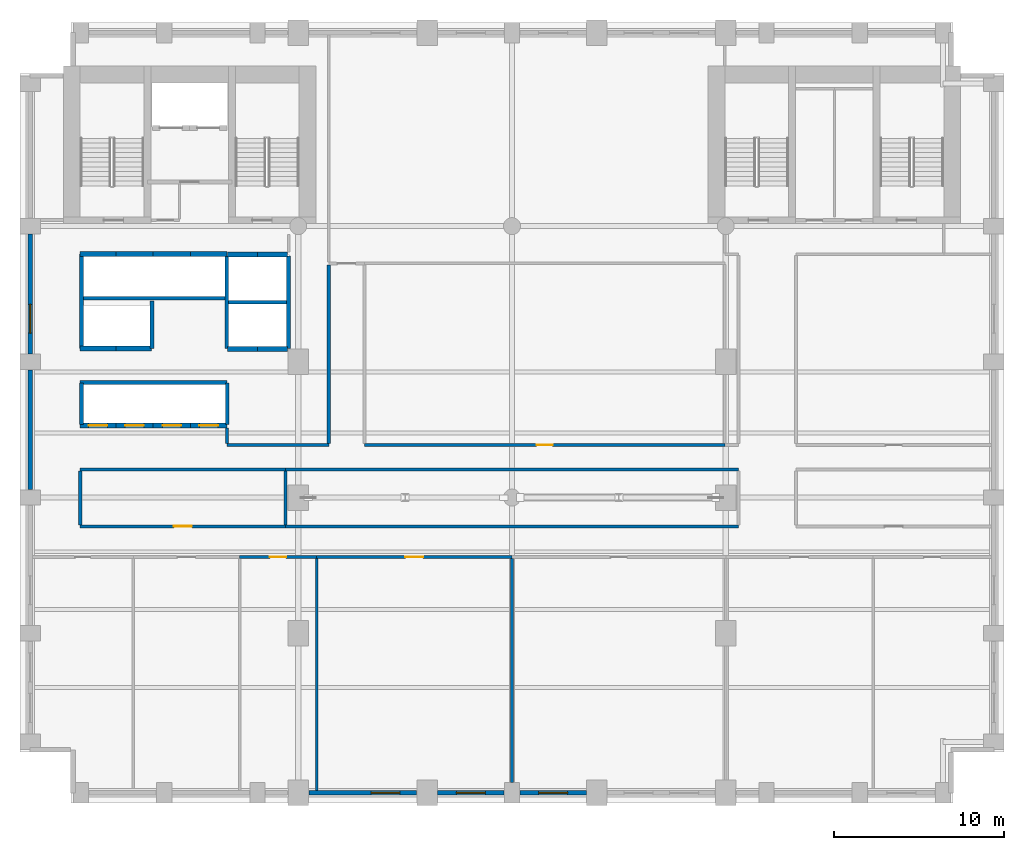
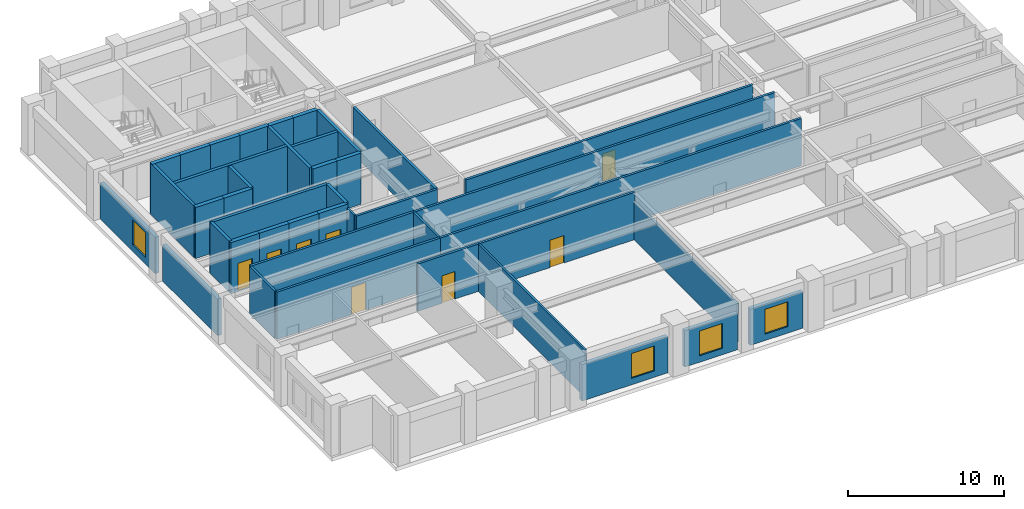
# One storey, part 5 of 10: 42 walls, 8 doors, 4 windows, 12 openings.
"""IFC4 building model written with IfcOpenShell, lengths in metres."""

from ifc_helpers import new_model, si_unit, direction, frame, frame_2d, origin, place, context, subcontext, project, spatial, rectangle, extrude, material, layer, layer_set, type_object, element, fill, save


model = new_model("IFC4")

# Units and contexts
model_context = context("Model", 3, precision=1e-05, world=origin(), true_north=direction((0.0, 1.0)))
body_context = subcontext(model_context, "Body", "Model", "MODEL_VIEW")
ifc_project = project(units=[si_unit("LENGTHUNIT", "METRE"), si_unit("AREAUNIT", "SQUARE_METRE"), si_unit("VOLUMEUNIT", "CUBIC_METRE"), si_unit("PLANEANGLEUNIT", "RADIAN"), si_unit("MASSUNIT", "GRAM", prefix="KILO")], contexts=[model_context])

# Site, building, storey
site_placement = place(None, origin())
site = spatial("IfcSite", under=ifc_project, at=site_placement, CompositionType="ELEMENT")
building_placement = place(site_placement, origin())
building = spatial("IfcBuilding", under=site, at=building_placement, Name="Sulina Concourse Tower", CompositionType="ELEMENT")
storey_placement = place(building_placement, frame((0.0, 0.0, 54.60009765625)))
storey = spatial("IfcBuildingStorey", under=building, at=storey_placement, Name="L13", CompositionType="ELEMENT", Elevation=54.60009765625)

# Walls
ifc_material_1 = material(Name="Concrete C50/60", Category="concrete")
ifc_layer_1 = layer(ifc_material_1, 0.219970703125)
ifc_layer_set_1 = layer_set([ifc_layer_1], Name="Concrete C50/60")
wall_type_1 = type_object("IfcWallType", Name="Core Lift Hoistway Divider Wall 220mm", PredefinedType="SOLIDWALL", material=ifc_layer_set_1)
wall_1_placement = place(storey_placement, frame((3.550048828125, 29.75, 0.0), z_axis=(0.0, 0.0, 1.0), x_axis=(1.0, 0.0, 0.0)))
element("IfcWall", 1, at=wall_1_placement, inside=storey, type_object=wall_type_1, Name="L13 shaft divider wall HW-LP3-S", PredefinedType="SOLIDWALL", context=body_context, shape_type="SweptSolid", body=[
    extrude(rectangle(XDim=8.64990234375, YDim=0.219970703125, at=frame_2d((4.324951171875, 0.0))), origin(), (0.0, 0.0, 1.0), 4.0),
])
wall_2_placement = place(storey_placement, frame((3.6298828125, 26.800048828125, 0.0), z_axis=(0.0, 0.0, 1.0), x_axis=(0.0, 1.0, 0.0)))
element("IfcWall", 2, at=wall_2_placement, inside=storey, type_object=wall_type_1, Name="L13 shaft divider wall HW-LP3-W", PredefinedType="SOLIDWALL", context=body_context, shape_type="SweptSolid", body=[
    extrude(rectangle(XDim=5.550048828125, YDim=0.219970703125, at=frame_2d((2.77490234375, 0.0))), origin(), (0.0, 0.0, 1.0), 4.0),
])
wall_3_placement = place(storey_placement, frame((7.780029296875, 26.800048828125, 0.0), z_axis=(0.0, 0.0, 1.0), x_axis=(0.0, 1.0, 0.0)))
element("IfcWall", 3, at=wall_3_placement, inside=storey, type_object=wall_type_1, Name="L13 shaft divider wall HW-EXP-E", PredefinedType="SOLIDWALL", context=body_context, shape_type="SweptSolid", body=[
    extrude(rectangle(XDim=2.800048828125, YDim=0.219970703125, at=frame_2d((1.39990234375, 0.0))), origin(), (0.0, 0.0, 1.0), 4.0),
])
for number, where, z_axis, x_axis, name in (
    (4, (12.179931640625, 26.800048828125, 0.0), (0.0, 0.0, 1.0), (0.0, 1.0, 0.0), "L13 shaft divider wall HW-LP2-W"),
    (5, (15.820068359375, 26.800048828125, 0.0), (0.0, 0.0, 1.0), (0.0, 1.0, 0.0), "L13 shaft divider wall HW-LP2-E"),
):
    element("IfcWall", number, at=place(storey_placement, frame(where, z_axis=z_axis, x_axis=x_axis)), inside=storey, type_object=wall_type_1, Name=name, PredefinedType="SOLIDWALL", context=body_context, shape_type="SweptSolid", body=[
        extrude(rectangle(XDim=5.449951171875, YDim=0.219970703125, at=frame_2d((2.72509765625, 0.0))), origin(), (0.0, 0.0, 1.0), 4.0),
    ])
wall_4_placement = place(storey_placement, frame((12.300048828125, 29.52001953125, 0.0), z_axis=(0.0, 0.0, 1.0), x_axis=(1.0, 0.0, 0.0)))
element("IfcWall", 6, at=wall_4_placement, inside=storey, type_object=wall_type_1, Name="L13 shaft divider wall HW-LP2-M", PredefinedType="SOLIDWALL", context=body_context, shape_type="SweptSolid", body=[
    extrude(rectangle(XDim=3.39990234375, YDim=0.219970703125, at=frame_2d((1.699951171875, 0.0))), origin(), (0.0, 0.0, 1.0), 4.0),
])
wall_5_placement = place(storey_placement, frame((3.550048828125, 24.780029296875, 0.0), z_axis=(0.0, 0.0, 1.0), x_axis=(1.0, 0.0, 0.0)))
element("IfcWall", 7, at=wall_5_placement, inside=storey, type_object=wall_type_1, Name="L13 shaft divider wall HW-LP1-N", PredefinedType="SOLIDWALL", context=body_context, shape_type="SweptSolid", body=[
    extrude(rectangle(XDim=8.64990234375, YDim=0.219970703125, at=frame_2d((4.324951171875, 0.0))), origin(), (0.0, 0.0, 1.0), 4.0),
])
for number, where, z_axis, x_axis, name in (
    (8, (3.6298828125, 22.300048828125, 0.0), (0.0, 0.0, 1.0), (0.0, 1.0, 0.0), "L13 shaft divider wall HW-LP1-W"),
    (9, (12.219970703125, 22.300048828125, 0.0), (0.0, 0.0, 1.0), (0.0, 1.0, 0.0), "L13 shaft divider wall HW-LP1-E"),
):
    element("IfcWall", number, at=place(storey_placement, frame(where, z_axis=z_axis, x_axis=x_axis)), inside=storey, type_object=wall_type_1, Name=name, PredefinedType="SOLIDWALL", context=body_context, shape_type="SweptSolid", body=[
        extrude(rectangle(XDim=2.449951171875, YDim=0.219970703125, at=frame_2d((1.22509765625, 0.0))), origin(), (0.0, 0.0, 1.0), 4.0),
    ])

# Wall, opening, door
ifc_material_2 = material(Name="Concrete C50/60", Category="concrete")
ifc_layer_2 = layer(ifc_material_2, 0.300048828125)
ifc_layer_set_2 = layer_set([ifc_layer_2], Name="Concrete C50/60")
wall_type_2 = type_object("IfcWallType", Name="Core Lift Hoistway Wall 300mm", PredefinedType="SOLIDWALL", material=ifc_layer_set_2)
wall_6_placement = place(storey_placement, frame((5.64990234375, 22.25, 0.0), z_axis=(0.0, 0.0, 1.0), x_axis=(-1.0, 0.0, 0.0)))
wall_6 = element("IfcWall", 10, at=wall_6_placement, inside=storey, type_object=wall_type_2, Name="L13 hoistway enclosure wall LP-01", PredefinedType="SOLIDWALL", context=body_context, shape_type="SweptSolid", body=[
    extrude(rectangle(XDim=2.099853515625, YDim=0.300048828125, at=frame_2d((1.0498046875, 0.0))), origin(), (0.0, 0.0, 1.0), 4.0),
])
opening_1_placement = place(wall_6_placement, frame((0.5, 0.0, 0.0)))
opening_1 = element("IfcOpeningElement", 11, at=opening_1_placement, cuts=wall_6, Name="Opening LD-01", PredefinedType="OPENING", context=body_context, shape_type="SweptSolid", body=[
    extrude(rectangle(XDim=1.10009765625, YDim=2.199951171875, at=frame_2d((0.550048828125, 1.10009765625))), frame((0.0, 0.159912109375, 0.0), z_axis=(0.0, -1.0, 0.0), x_axis=(1.0, 0.0, 0.0)), (0.0, 0.0, 1.0), 0.320068359375),
])
ifc_material_3 = material(Name="Stainless steel lift landing door", Category="steel")
ifc_layer_3 = layer(ifc_material_3, 0.050048828125)
ifc_layer_set_3 = layer_set([ifc_layer_3], Name="Stainless steel lift landing door")
door_type_1 = type_object("IfcDoorType", Name="Passenger Lift Sliding Landing Door 1100x2200", OperationType="SLIDING_TO_LEFT", PredefinedType="DOOR", material=ifc_layer_set_3)
door_1_placement = place(opening_1_placement, origin())
door_1 = element("IfcDoor", 12, at=door_1_placement, inside=storey, type_object=door_type_1, Name="L13 lift landing sliding door LP-01", OperationType="SLIDING_TO_LEFT", OverallHeight=2.199951171875, OverallWidth=1.10009765625, PredefinedType="DOOR", context=body_context, shape_type="SweptSolid", body=[
    extrude(rectangle(XDim=1.10009765625, YDim=2.199951171875, at=frame_2d((0.550048828125, 1.10009765625))), frame((0.0, 0.02490234375, 0.0), z_axis=(0.0, -1.0, 0.0), x_axis=(1.0, 0.0, 0.0)), (0.0, 0.0, 1.0), 0.050048828125),
])
fill(opening_1, door_1)

wall_7_placement = place(storey_placement, frame((7.85009765625, 22.25, 0.0), z_axis=(0.0, 0.0, 1.0), x_axis=(-1.0, 0.0, 0.0)))
wall_7 = element("IfcWall", 13, at=wall_7_placement, inside=storey, type_object=wall_type_2, Name="L13 hoistway enclosure wall LP-02", PredefinedType="SOLIDWALL", context=body_context, shape_type="SweptSolid", body=[
    extrude(rectangle(XDim=2.2001953125, YDim=0.300048828125, at=frame_2d((1.10009765625, 0.0))), origin(), (0.0, 0.0, 1.0), 4.0),
])
opening_2_placement = place(wall_7_placement, frame((0.550048828125, 0.0, 0.0)))
opening_2 = element("IfcOpeningElement", 14, at=opening_2_placement, cuts=wall_7, Name="Opening LD-01", PredefinedType="OPENING", context=body_context, shape_type="SweptSolid", body=[
    extrude(rectangle(XDim=1.10009765625, YDim=2.199951171875, at=frame_2d((0.550048828125, 1.10009765625))), frame((0.0, 0.159912109375, 0.0), z_axis=(0.0, -1.0, 0.0), x_axis=(1.0, 0.0, 0.0)), (0.0, 0.0, 1.0), 0.320068359375),
])
door_2_placement = place(opening_2_placement, origin())
door_2 = element("IfcDoor", 15, at=door_2_placement, inside=storey, type_object=door_type_1, Name="L13 lift landing sliding door LP-02", OperationType="SLIDING_TO_RIGHT", OverallHeight=2.199951171875, OverallWidth=1.10009765625, PredefinedType="DOOR", context=body_context, shape_type="SweptSolid", body=[
    extrude(rectangle(XDim=1.10009765625, YDim=2.199951171875, at=frame_2d((0.550048828125, 1.10009765625))), frame((0.0, 0.02490234375, 0.0), z_axis=(0.0, -1.0, 0.0), x_axis=(1.0, 0.0, 0.0)), (0.0, 0.0, 1.0), 0.050048828125),
])
fill(opening_2, door_2)

wall_8_placement = place(storey_placement, frame((10.050048828125, 22.25, 0.0), z_axis=(0.0, 0.0, 1.0), x_axis=(-1.0, 0.0, 0.0)))
wall_8 = element("IfcWall", 16, at=wall_8_placement, inside=storey, type_object=wall_type_2, Name="L13 hoistway enclosure wall LP-03", PredefinedType="SOLIDWALL", context=body_context, shape_type="SweptSolid", body=[
    extrude(rectangle(XDim=2.199951171875, YDim=0.300048828125, at=frame_2d((1.10009765625, 0.0))), origin(), (0.0, 0.0, 1.0), 4.0),
])
opening_3_placement = place(wall_8_placement, frame((0.550048828125, 0.0, 0.0)))
opening_3 = element("IfcOpeningElement", 17, at=opening_3_placement, cuts=wall_8, Name="Opening LD-01", PredefinedType="OPENING", context=body_context, shape_type="SweptSolid", body=[
    extrude(rectangle(XDim=1.10009765625, YDim=2.199951171875, at=frame_2d((0.550048828125, 1.10009765625))), frame((0.0, 0.159912109375, 0.0), z_axis=(0.0, -1.0, 0.0), x_axis=(1.0, 0.0, 0.0)), (0.0, 0.0, 1.0), 0.320068359375),
])
door_3_placement = place(opening_3_placement, origin())
door_3 = element("IfcDoor", 18, at=door_3_placement, inside=storey, type_object=door_type_1, Name="L13 lift landing sliding door LP-03", OperationType="SLIDING_TO_LEFT", OverallHeight=2.199951171875, OverallWidth=1.10009765625, PredefinedType="DOOR", context=body_context, shape_type="SweptSolid", body=[
    extrude(rectangle(XDim=1.10009765625, YDim=2.199951171875, at=frame_2d((0.550048828125, 1.10009765625))), frame((0.0, 0.02490234375, 0.0), z_axis=(0.0, -1.0, 0.0), x_axis=(1.0, 0.0, 0.0)), (0.0, 0.0, 1.0), 0.050048828125),
])
fill(opening_3, door_3)

wall_9_placement = place(storey_placement, frame((12.199951171875, 22.25, 0.0), z_axis=(0.0, 0.0, 1.0), x_axis=(-1.0, 0.0, 0.0)))
wall_9 = element("IfcWall", 19, at=wall_9_placement, inside=storey, type_object=wall_type_2, Name="L13 hoistway enclosure wall LP-04", PredefinedType="SOLIDWALL", context=body_context, shape_type="SweptSolid", body=[
    extrude(rectangle(XDim=2.14990234375, YDim=0.300048828125, at=frame_2d((1.074951171875, 0.0))), origin(), (0.0, 0.0, 1.0), 4.0),
])
opening_4_placement = place(wall_9_placement, frame((0.52490234375, 0.0, 0.0)))
opening_4 = element("IfcOpeningElement", 20, at=opening_4_placement, cuts=wall_9, Name="Opening LD-01", PredefinedType="OPENING", context=body_context, shape_type="SweptSolid", body=[
    extrude(rectangle(XDim=1.10009765625, YDim=2.199951171875, at=frame_2d((0.550048828125, 1.10009765625))), frame((0.0, 0.159912109375, 0.0), z_axis=(0.0, -1.0, 0.0), x_axis=(1.0, 0.0, 0.0)), (0.0, 0.0, 1.0), 0.320068359375),
])
door_4_placement = place(opening_4_placement, origin())
door_4 = element("IfcDoor", 21, at=door_4_placement, inside=storey, type_object=door_type_1, Name="L13 lift landing sliding door LP-04", OperationType="SLIDING_TO_RIGHT", OverallHeight=2.199951171875, OverallWidth=1.10009765625, PredefinedType="DOOR", context=body_context, shape_type="SweptSolid", body=[
    extrude(rectangle(XDim=1.10009765625, YDim=2.199951171875, at=frame_2d((0.550048828125, 1.10009765625))), frame((0.0, 0.02490234375, 0.0), z_axis=(0.0, -1.0, 0.0), x_axis=(1.0, 0.0, 0.0)), (0.0, 0.0, 1.0), 0.050048828125),
])
fill(opening_4, door_4)

# Walls
for number, where, z_axis, x_axis, name in (
    (22, (14.0, 26.75, 0.0), (0.0, 0.0, 1.0), (-1.0, 0.0, 0.0), "L13 hoistway enclosure wall LP-05"),
    (23, (15.780029296875, 26.75, 0.0), (0.0, 0.0, 1.0), (-1.0, 0.0, 0.0), "L13 hoistway enclosure wall LP-06"),
    (24, (12.219970703125, 32.320068359375, 0.0), (0.0, 0.0, 1.0), (1.0, 0.0, 0.0), "L13 hoistway enclosure wall LP-07"),
    (25, (14.0, 32.320068359375, 0.0), (0.0, 0.0, 1.0), (1.0, 0.0, 0.0), "L13 hoistway enclosure wall LP-08"),
):
    element("IfcWall", number, at=place(storey_placement, frame(where, z_axis=z_axis, x_axis=x_axis)), inside=storey, type_object=wall_type_2, Name=name, PredefinedType="SOLIDWALL", context=body_context, shape_type="SweptSolid", body=[
        extrude(rectangle(XDim=1.780029296875, YDim=0.300048828125, at=frame_2d((0.89013671875, 0.0))), origin(), (0.0, 0.0, 1.0), 4.0),
    ])
wall_10_placement = place(storey_placement, frame((3.550048828125, 32.35009765625, 0.0), z_axis=(0.0, 0.0, 1.0), x_axis=(1.0, 0.0, 0.0)))
element("IfcWall", 26, at=wall_10_placement, inside=storey, type_object=wall_type_2, Name="L13 hoistway enclosure wall LP-09", PredefinedType="SOLIDWALL", context=body_context, shape_type="SweptSolid", body=[
    extrude(rectangle(XDim=2.099853515625, YDim=0.300048828125, at=frame_2d((1.0498046875, 0.0))), origin(), (0.0, 0.0, 1.0), 4.0),
])
wall_11_placement = place(storey_placement, frame((5.64990234375, 32.35009765625, 0.0), z_axis=(0.0, 0.0, 1.0), x_axis=(1.0, 0.0, 0.0)))
element("IfcWall", 27, at=wall_11_placement, inside=storey, type_object=wall_type_2, Name="L13 hoistway enclosure wall LP-10", PredefinedType="SOLIDWALL", context=body_context, shape_type="SweptSolid", body=[
    extrude(rectangle(XDim=2.2001953125, YDim=0.300048828125, at=frame_2d((1.10009765625, 0.0))), origin(), (0.0, 0.0, 1.0), 4.0),
])
wall_12_placement = place(storey_placement, frame((7.85009765625, 32.35009765625, 0.0), z_axis=(0.0, 0.0, 1.0), x_axis=(1.0, 0.0, 0.0)))
element("IfcWall", 28, at=wall_12_placement, inside=storey, type_object=wall_type_2, Name="L13 hoistway enclosure wall LP-11", PredefinedType="SOLIDWALL", context=body_context, shape_type="SweptSolid", body=[
    extrude(rectangle(XDim=2.199951171875, YDim=0.300048828125, at=frame_2d((1.10009765625, 0.0))), origin(), (0.0, 0.0, 1.0), 4.0),
])
wall_13_placement = place(storey_placement, frame((10.050048828125, 32.35009765625, 0.0), z_axis=(0.0, 0.0, 1.0), x_axis=(1.0, 0.0, 0.0)))
element("IfcWall", 29, at=wall_13_placement, inside=storey, type_object=wall_type_2, Name="L13 hoistway enclosure wall LP-12", PredefinedType="SOLIDWALL", context=body_context, shape_type="SweptSolid", body=[
    extrude(rectangle(XDim=2.14990234375, YDim=0.300048828125, at=frame_2d((1.074951171875, 0.0))), origin(), (0.0, 0.0, 1.0), 4.0),
])
wall_14_placement = place(storey_placement, frame((5.64990234375, 26.780029296875, 0.0), z_axis=(0.0, 0.0, 1.0), x_axis=(-1.0, 0.0, 0.0)))
element("IfcWall", 30, at=wall_14_placement, inside=storey, type_object=wall_type_2, Name="L13 hoistway enclosure wall EXP-1", PredefinedType="SOLIDWALL", context=body_context, shape_type="SweptSolid", body=[
    extrude(rectangle(XDim=2.099853515625, YDim=0.300048828125, at=frame_2d((1.0498046875, 0.0))), origin(), (0.0, 0.0, 1.0), 4.0),
])
wall_15_placement = place(storey_placement, frame((7.75, 26.780029296875, 0.0), z_axis=(0.0, 0.0, 1.0), x_axis=(-1.0, 0.0, 0.0)))
element("IfcWall", 31, at=wall_15_placement, inside=storey, type_object=wall_type_2, Name="L13 hoistway enclosure wall EXP-2", PredefinedType="SOLIDWALL", context=body_context, shape_type="SweptSolid", body=[
    extrude(rectangle(XDim=2.10009765625, YDim=0.300048828125, at=frame_2d((1.050048828125, 0.0))), origin(), (0.0, 0.0, 1.0), 4.0),
])
ifc_material_4 = material(Name="Gypsum board on steel stud", Category="steel")
ifc_layer_4 = layer(ifc_material_4, 0.14990234375)
ifc_layer_set_4 = layer_set([ifc_layer_4], Name="Gypsum board on steel stud")
wall_type_3 = type_object("IfcWallType", Name="Inter-Tenancy Acoustic Partition 150mm", PredefinedType="PARTITIONING", material=ifc_layer_set_4)
wall_16_placement = place(storey_placement, frame((12.199951171875, 21.18994140625, 0.0), z_axis=(0.0, 0.0, 1.0), x_axis=(0.0, 1.0, 0.0)))
element("IfcWall", 32, at=wall_16_placement, inside=storey, type_object=wall_type_3, Name="L13 interior partition 030", PredefinedType="PARTITIONING", context=body_context, shape_type="SweptSolid", body=[
    extrude(rectangle(XDim=0.91015625, YDim=0.14990234375, at=frame_2d((0.455078125, 0.0))), origin(), (0.0, 0.0, 1.0), 3.699951171875),
])
wall_17_placement = place(storey_placement, frame((15.64990234375, 16.389892578125, 0.0), z_axis=(0.0, 0.0, 1.0), x_axis=(0.0, 1.0, 0.0)))
element("IfcWall", 33, at=wall_17_placement, inside=storey, type_object=wall_type_3, Name="L13 interior partition 032", PredefinedType="PARTITIONING", context=body_context, shape_type="SweptSolid", body=[
    extrude(rectangle(XDim=3.170166015625, YDim=0.14990234375, at=frame_2d((1.5849609375, 0.0))), origin(), (0.0, 0.0, 1.0), 3.699951171875),
])
wall_18_placement = place(storey_placement, frame((17.47998046875, 0.739990234375, 0.0), z_axis=(0.0, 0.0, 1.0), x_axis=(0.0, 1.0, 0.0)))
element("IfcWall", 34, at=wall_18_placement, inside=storey, type_object=wall_type_3, Name="L13 interior partition 034", PredefinedType="PARTITIONING", context=body_context, shape_type="SweptSolid", body=[
    extrude(rectangle(XDim=13.669921875, YDim=0.14990234375, at=frame_2d((6.8349609375, 0.0))), origin(), (0.0, 0.0, 1.0), 3.699951171875),
])
wall_19_placement = place(storey_placement, frame((29.0, 1.199951171875, 0.0), z_axis=(0.0, 0.0, 1.0), x_axis=(0.0, 1.0, 0.0)))
element("IfcWall", 35, at=wall_19_placement, inside=storey, type_object=wall_type_3, Name="L13 interior partition 038", PredefinedType="PARTITIONING", context=body_context, shape_type="SweptSolid", body=[
    extrude(rectangle(XDim=13.2099609375, YDim=0.14990234375, at=frame_2d((6.60498046875, 0.0))), origin(), (0.0, 0.0, 1.0), 2.994873046875),
])

# Wall, opening, door
ifc_material_5 = material(Name="Gypsum board on steel stud", Category="steel")
ifc_layer_5 = layer(ifc_material_5, 0.179931640625)
ifc_layer_set_5 = layer_set([ifc_layer_5], Name="Gypsum board on steel stud")
wall_type_4 = type_object("IfcWallType", Name="Protected Corridor & Riser Partition 180mm", PredefinedType="PARTITIONING", material=ifc_layer_set_5)
wall_20_placement = place(storey_placement, frame((12.93994140625, 14.5, 0.0), z_axis=(0.0, 0.0, 1.0), x_axis=(1.0, 0.0, 0.0)))
wall_20 = element("IfcWall", 36, at=wall_20_placement, inside=storey, type_object=wall_type_4, Name="L13 interior partition 003", PredefinedType="PARTITIONING", context=body_context, shape_type="SweptSolid", body=[
    extrude(rectangle(XDim=4.5400390625, YDim=0.179931640625, at=frame_2d((2.27001953125, 0.0))), origin(), (0.0, 0.0, 1.0), 3.699951171875),
])
opening_5_placement = place(wall_20_placement, frame((1.794921875, 0.0, 0.0)))
opening_5 = element("IfcOpeningElement", 37, at=opening_5_placement, cuts=wall_20, Name="Opening DR-19", PredefinedType="OPENING", context=body_context, shape_type="SweptSolid", body=[
    extrude(rectangle(XDim=0.949951171875, YDim=2.14990234375, at=frame_2d((0.47509765625, 1.074951171875))), frame((0.0, 0.099853515625, 0.0), z_axis=(0.0, -1.0, 0.0), x_axis=(1.0, 0.0, 0.0)), (0.0, 0.0, 1.0), 0.199951171875),
])
ifc_material_6 = material(Name="Oak-veneered acoustic timber leaf", Category="wood")
ifc_layer_6 = layer(ifc_material_6, 0.050048828125)
ifc_layer_set_6 = layer_set([ifc_layer_6], Name="Oak-veneered acoustic timber leaf")
door_type_2 = type_object("IfcDoorType", Name="Cellular Office & Meeting Door 950x2150", OperationType="NOTDEFINED", PredefinedType="DOOR", material=ifc_layer_set_6)
door_5_placement = place(opening_5_placement, origin())
door_5 = element("IfcDoor", 38, at=door_5_placement, inside=storey, type_object=door_type_2, Name="L13 interior door L13-S02B", OperationType="SINGLE_SWING_LEFT", OverallHeight=2.14990234375, OverallWidth=0.949951171875, PredefinedType="DOOR", context=body_context, shape_type="SweptSolid", body=[
    extrude(rectangle(XDim=0.949951171875, YDim=2.14990234375, at=frame_2d((0.47509765625, 1.074951171875))), frame((0.0, 0.02490234375, 0.0), z_axis=(0.0, -1.0, 0.0), x_axis=(1.0, 0.0, 0.0)), (0.0, 0.0, 1.0), 0.050048828125),
])
fill(opening_5, door_5)

wall_21_placement = place(storey_placement, frame((17.47998046875, 14.5, 0.0), z_axis=(0.0, 0.0, 1.0), x_axis=(1.0, 0.0, 0.0)))
wall_21 = element("IfcWall", 39, at=wall_21_placement, inside=storey, type_object=wall_type_4, Name="L13 interior partition 004", PredefinedType="PARTITIONING", context=body_context, shape_type="SweptSolid", body=[
    extrude(rectangle(XDim=11.52001953125, YDim=0.179931640625, at=frame_2d((5.760009765625, 0.0))), origin(), (0.0, 0.0, 1.0), 3.699951171875),
])
opening_6_placement = place(wall_21_placement, frame((5.235107421875, 0.0, 0.0)))
opening_6 = element("IfcOpeningElement", 40, at=opening_6_placement, cuts=wall_21, Name="Opening DR-37", PredefinedType="OPENING", context=body_context, shape_type="SweptSolid", body=[
    extrude(rectangle(XDim=1.050048828125, YDim=2.14990234375, at=frame_2d((0.52490234375, 1.074951171875))), frame((0.0, 0.099853515625, 0.0), z_axis=(0.0, -1.0, 0.0), x_axis=(1.0, 0.0, 0.0)), (0.0, 0.0, 1.0), 0.199951171875),
])
ifc_material_7 = material(Name="Oak-veneered fire door leaf")
ifc_layer_7 = layer(ifc_material_7, 0.050048828125)
ifc_layer_set_7 = layer_set([ifc_layer_7], Name="Oak-veneered fire door leaf")
door_type_3 = type_object("IfcDoorType", Name="Tenant Suite Entrance Fire Door 1050x2150", OperationType="NOTDEFINED", PredefinedType="DOOR", material=ifc_layer_set_7)
door_6_placement = place(opening_6_placement, origin())
door_6 = element("IfcDoor", 41, at=door_6_placement, inside=storey, type_object=door_type_3, Name="L13 interior door L13-S03", OperationType="SINGLE_SWING_RIGHT", OverallHeight=2.14990234375, OverallWidth=1.050048828125, PredefinedType="DOOR", context=body_context, shape_type="SweptSolid", body=[
    extrude(rectangle(XDim=1.050048828125, YDim=2.14990234375, at=frame_2d((0.52490234375, 1.074951171875))), frame((0.0, 0.02490234375, 0.0), z_axis=(0.0, -1.0, 0.0), x_axis=(1.0, 0.0, 0.0)), (0.0, 0.0, 1.0), 0.050048828125),
])
fill(opening_6, door_6)

wall_22_placement = place(storey_placement, frame((3.550048828125, 16.300048828125, 0.0), z_axis=(0.0, 0.0, 1.0), x_axis=(1.0, 0.0, 0.0)))
wall_22 = element("IfcWall", 42, at=wall_22_placement, inside=storey, type_object=wall_type_4, Name="L13 interior partition 008", PredefinedType="PARTITIONING", context=body_context, shape_type="SweptSolid", body=[
    extrude(rectangle(XDim=12.099853515625, YDim=0.179931640625, at=frame_2d((6.0498046875, 0.0))), origin(), (0.0, 0.0, 1.0), 3.699951171875),
])
opening_7_placement = place(wall_22_placement, frame((5.52490234375, 0.0, 0.0)))
opening_7 = element("IfcOpeningElement", 43, at=opening_7_placement, cuts=wall_22, Name="Opening DR-37", PredefinedType="OPENING", context=body_context, shape_type="SweptSolid", body=[
    extrude(rectangle(XDim=1.050048828125, YDim=2.14990234375, at=frame_2d((0.52490234375, 1.074951171875))), frame((0.0, 0.099853515625, 0.0), z_axis=(0.0, -1.0, 0.0), x_axis=(1.0, 0.0, 0.0)), (0.0, 0.0, 1.0), 0.199951171875),
])
door_7_placement = place(opening_7_placement, origin())
door_7 = element("IfcDoor", 44, at=door_7_placement, inside=storey, type_object=door_type_3, Name="L13 interior door L13-OFF-LBTW", OperationType="SINGLE_SWING_RIGHT", OverallHeight=2.14990234375, OverallWidth=1.050048828125, PredefinedType="DOOR", context=body_context, shape_type="SweptSolid", body=[
    extrude(rectangle(XDim=1.050048828125, YDim=2.14990234375, at=frame_2d((0.52490234375, 1.074951171875))), frame((0.0, 0.02490234375, 0.0), z_axis=(0.0, -1.0, 0.0), x_axis=(1.0, 0.0, 0.0)), (0.0, 0.0, 1.0), 0.050048828125),
])
fill(opening_7, door_7)

# Walls
wall_23_placement = place(storey_placement, frame((15.64990234375, 16.300048828125, 0.0), z_axis=(0.0, 0.0, 1.0), x_axis=(1.0, 0.0, 0.0)))
element("IfcWall", 45, at=wall_23_placement, inside=storey, type_object=wall_type_4, Name="L13 interior partition 009", PredefinedType="PARTITIONING", context=body_context, shape_type="SweptSolid", body=[
    extrude(rectangle(XDim=26.7001953125, YDim=0.179931640625, at=frame_2d((13.35009765625, 0.0))), origin(), (0.0, 0.0, 1.0), 3.699951171875),
])
wall_24_placement = place(storey_placement, frame((3.550048828125, 19.64990234375, 0.0), z_axis=(0.0, 0.0, 1.0), x_axis=(1.0, 0.0, 0.0)))
element("IfcWall", 46, at=wall_24_placement, inside=storey, type_object=wall_type_4, Name="L13 interior partition 011", PredefinedType="PARTITIONING", context=body_context, shape_type="SweptSolid", body=[
    extrude(rectangle(XDim=12.099853515625, YDim=0.179931640625, at=frame_2d((6.0498046875, 0.0))), origin(), (0.0, 0.0, 1.0), 3.699951171875),
])
wall_25_placement = place(storey_placement, frame((15.64990234375, 19.64990234375, 0.0), z_axis=(0.0, 0.0, 1.0), x_axis=(1.0, 0.0, 0.0)))
element("IfcWall", 47, at=wall_25_placement, inside=storey, type_object=wall_type_4, Name="L13 interior partition 012", PredefinedType="PARTITIONING", context=body_context, shape_type="SweptSolid", body=[
    extrude(rectangle(XDim=26.7001953125, YDim=0.179931640625, at=frame_2d((13.35009765625, 0.0))), origin(), (0.0, 0.0, 1.0), 3.699951171875),
])
wall_26_placement = place(storey_placement, frame((12.199951171875, 21.10009765625, 0.0), z_axis=(0.0, 0.0, 1.0), x_axis=(1.0, 0.0, 0.0)))
element("IfcWall", 48, at=wall_26_placement, inside=storey, type_object=wall_type_4, Name="L13 interior partition 014", PredefinedType="PARTITIONING", context=body_context, shape_type="SweptSolid", body=[
    extrude(rectangle(XDim=6.0, YDim=0.179931640625, at=frame_2d((3.0, 0.0))), origin(), (0.0, 0.0, 1.0), 3.699951171875),
])

# Wall, opening, door
wall_27_placement = place(storey_placement, frame((20.300048828125, 21.10009765625, 0.0), z_axis=(0.0, 0.0, 1.0), x_axis=(1.0, 0.0, 0.0)))
wall_27 = element("IfcWall", 49, at=wall_27_placement, inside=storey, type_object=wall_type_4, Name="L13 interior partition 015", PredefinedType="PARTITIONING", context=body_context, shape_type="SweptSolid", body=[
    extrude(rectangle(XDim=21.25, YDim=0.179931640625, at=frame_2d((10.625, 0.0))), origin(), (0.0, 0.0, 1.0), 3.699951171875),
])
opening_8_placement = place(wall_27_placement, frame((10.14990234375, 0.0, 0.0)))
opening_8 = element("IfcOpeningElement", 50, at=opening_8_placement, cuts=wall_27, Name="Opening DR-19", PredefinedType="OPENING", context=body_context, shape_type="SweptSolid", body=[
    extrude(rectangle(XDim=0.949951171875, YDim=2.14990234375, at=frame_2d((0.47509765625, 1.074951171875))), frame((0.0, 0.099853515625, 0.0), z_axis=(0.0, -1.0, 0.0), x_axis=(1.0, 0.0, 0.0)), (0.0, 0.0, 1.0), 0.199951171875),
])
door_8_placement = place(opening_8_placement, origin())
door_8 = element("IfcDoor", 51, at=door_8_placement, inside=storey, type_object=door_type_2, Name="L13 interior door L13-NC3", OperationType="SINGLE_SWING_RIGHT", OverallHeight=2.14990234375, OverallWidth=0.949951171875, PredefinedType="DOOR", context=body_context, shape_type="SweptSolid", body=[
    extrude(rectangle(XDim=0.949951171875, YDim=2.14990234375, at=frame_2d((0.47509765625, 1.074951171875))), frame((0.0, 0.02490234375, 0.0), z_axis=(0.0, -1.0, 0.0), x_axis=(1.0, 0.0, 0.0)), (0.0, 0.0, 1.0), 0.050048828125),
])
fill(opening_8, door_8)

# Walls
wall_28_placement = place(storey_placement, frame((3.550048828125, 16.389892578125, 0.0), z_axis=(0.0, 0.0, 1.0), x_axis=(0.0, 1.0, 0.0)))
element("IfcWall", 52, at=wall_28_placement, inside=storey, type_object=wall_type_4, Name="L13 interior partition 027", PredefinedType="PARTITIONING", context=body_context, shape_type="SweptSolid", body=[
    extrude(rectangle(XDim=3.170166015625, YDim=0.179931640625, at=frame_2d((1.5849609375, 0.0))), origin(), (0.0, 0.0, 1.0), 3.699951171875),
])
wall_29_placement = place(storey_placement, frame((18.199951171875, 21.18994140625, 0.0), z_axis=(0.0, 0.0, 1.0), x_axis=(0.0, 1.0, 0.0)))
element("IfcWall", 53, at=wall_29_placement, inside=storey, type_object=wall_type_4, Name="L13 interior partition 035", PredefinedType="PARTITIONING", context=body_context, shape_type="SweptSolid", body=[
    extrude(rectangle(XDim=10.52001953125, YDim=0.179931640625, at=frame_2d((5.260009765625, 0.0))), origin(), (0.0, 0.0, 1.0), 3.699951171875),
])

# Wall, opening, window
ifc_material_8 = material(Name="Precast concrete C50/60", Category="concrete")
ifc_layer_8 = layer(ifc_material_8, 0.280029296875)
ifc_layer_set_8 = layer_set([ifc_layer_8], Name="Precast concrete C50/60")
wall_type_5 = type_object("IfcWallType", Name="Typical Precast Masonry-Frame Facade Wall 280mm", PredefinedType="SOLIDWALL", material=ifc_layer_set_8)
wall_30_placement = place(storey_placement, frame((23.3798828125, 0.60009765625, 0.0), z_axis=(0.0, 0.0, 1.0), x_axis=(-1.0, 0.0, 0.0)))
wall_30 = element("IfcWall", 54, at=wall_30_placement, inside=storey, type_object=wall_type_5, Name="L13 exterior precast wall S4", PredefinedType="SOLIDWALL", context=body_context, shape_type="SweptSolid", body=[
    extrude(rectangle(XDim=6.35986328125, YDim=0.280029296875, at=frame_2d((3.179931640625, 0.0))), origin(), (0.0, 0.0, 1.0), 2.849853515625),
])
opening_9_placement = place(wall_30_placement, frame((0.98681640625, 0.0, 0.5)))
opening_9 = element("IfcOpeningElement", 55, at=opening_9_placement, cuts=wall_30, Name="Opening WN-66", PredefinedType="OPENING", context=body_context, shape_type="SweptSolid", body=[
    extrude(rectangle(XDim=1.699951171875, YDim=1.949951171875, at=frame_2d((0.85009765625, 0.97509765625))), frame((0.0, 0.14990234375, 0.0), z_axis=(0.0, -1.0, 0.0), x_axis=(1.0, 0.0, 0.0)), (0.0, 0.0, 1.0), 0.300048828125),
])
ifc_material_9 = material(Name="Low-E solar double glazing in bronze aluminium", Category="aluminium")
window_type = type_object("IfcWindowType", Name="Recessed Spandrel Window 1700x1950", PartitioningType="SINGLE_PANEL", PredefinedType="WINDOW", material=ifc_material_9)
window_1_placement = place(opening_9_placement, origin())
window_1 = element("IfcWindow", 56, at=window_1_placement, inside=storey, type_object=window_type, Name="L13 punched window S4-1", OverallHeight=1.949951171875, OverallWidth=1.699951171875, PartitioningType="SINGLE_PANEL", PredefinedType="WINDOW", context=body_context, shape_type="SweptSolid", body=[
    extrude(rectangle(XDim=1.699951171875, YDim=1.949951171875, at=frame_2d((0.85009765625, 0.97509765625))), frame((0.0, 0.030029296875, 0.0), z_axis=(0.0, -1.0, 0.0), x_axis=(1.0, 0.0, 0.0)), (0.0, 0.0, 1.0), 0.06005859375),
])
fill(opening_9, window_1)

wall_31_placement = place(storey_placement, frame((28.530029296875, 0.60009765625, 0.0), z_axis=(0.0, 0.0, 1.0), x_axis=(-1.0, 0.0, 0.0)))
wall_31 = element("IfcWall", 57, at=wall_31_placement, inside=storey, type_object=wall_type_5, Name="L13 exterior precast wall S5", PredefinedType="SOLIDWALL", context=body_context, shape_type="SweptSolid", body=[
    extrude(rectangle(XDim=3.909912109375, YDim=0.280029296875, at=frame_2d((1.955078125, 0.0))), origin(), (0.0, 0.0, 1.0), 2.849853515625),
])
opening_10_placement = place(wall_31_placement, frame((1.10498046875, 0.0, 0.5)))
opening_10 = element("IfcOpeningElement", 58, at=opening_10_placement, cuts=wall_31, Name="Opening WN-66", PredefinedType="OPENING", context=body_context, shape_type="SweptSolid", body=[
    extrude(rectangle(XDim=1.699951171875, YDim=1.949951171875, at=frame_2d((0.85009765625, 0.97509765625))), frame((0.0, 0.14990234375, 0.0), z_axis=(0.0, -1.0, 0.0), x_axis=(1.0, 0.0, 0.0)), (0.0, 0.0, 1.0), 0.300048828125),
])
window_2_placement = place(opening_10_placement, origin())
window_2 = element("IfcWindow", 59, at=window_2_placement, inside=storey, type_object=window_type, Name="L13 punched window S5-1", OverallHeight=1.949951171875, OverallWidth=1.699951171875, PartitioningType="SINGLE_PANEL", PredefinedType="WINDOW", context=body_context, shape_type="SweptSolid", body=[
    extrude(rectangle(XDim=1.699951171875, YDim=1.949951171875, at=frame_2d((0.85009765625, 0.97509765625))), frame((0.0, 0.030029296875, 0.0), z_axis=(0.0, -1.0, 0.0), x_axis=(1.0, 0.0, 0.0)), (0.0, 0.0, 1.0), 0.06005859375),
])
fill(opening_10, window_2)

wall_32_placement = place(storey_placement, frame((33.3798828125, 0.60009765625, 0.0), z_axis=(0.0, 0.0, 1.0), x_axis=(-1.0, 0.0, 0.0)))
wall_32 = element("IfcWall", 60, at=wall_32_placement, inside=storey, type_object=wall_type_5, Name="L13 exterior precast wall S6", PredefinedType="SOLIDWALL", context=body_context, shape_type="SweptSolid", body=[
    extrude(rectangle(XDim=3.909912109375, YDim=0.280029296875, at=frame_2d((1.955078125, 0.0))), origin(), (0.0, 0.0, 1.0), 2.849853515625),
])
opening_11_placement = place(wall_32_placement, frame((1.10498046875, 0.0, 0.5)))
opening_11 = element("IfcOpeningElement", 61, at=opening_11_placement, cuts=wall_32, Name="Opening WN-66", PredefinedType="OPENING", context=body_context, shape_type="SweptSolid", body=[
    extrude(rectangle(XDim=1.699951171875, YDim=1.949951171875, at=frame_2d((0.85009765625, 0.97509765625))), frame((0.0, 0.14990234375, 0.0), z_axis=(0.0, -1.0, 0.0), x_axis=(1.0, 0.0, 0.0)), (0.0, 0.0, 1.0), 0.300048828125),
])
window_3_placement = place(opening_11_placement, origin())
window_3 = element("IfcWindow", 62, at=window_3_placement, inside=storey, type_object=window_type, Name="L13 punched window S6-1", OverallHeight=1.949951171875, OverallWidth=1.699951171875, PartitioningType="SINGLE_PANEL", PredefinedType="WINDOW", context=body_context, shape_type="SweptSolid", body=[
    extrude(rectangle(XDim=1.699951171875, YDim=1.949951171875, at=frame_2d((0.85009765625, 0.97509765625))), frame((0.0, 0.030029296875, 0.0), z_axis=(0.0, -1.0, 0.0), x_axis=(1.0, 0.0, 0.0)), (0.0, 0.0, 1.0), 0.06005859375),
])
fill(opening_11, window_3)

# Wall
wall_33_placement = place(storey_placement, frame((0.60009765625, 18.469970703125, 0.0), z_axis=(0.0, 0.0, 1.0), x_axis=(0.0, 1.0, 0.0)))
element("IfcWall", 63, at=wall_33_placement, inside=storey, type_object=wall_type_5, Name="L13 exterior precast wall W3", PredefinedType="SOLIDWALL", context=body_context, shape_type="SweptSolid", body=[
    extrude(rectangle(XDim=7.06005859375, YDim=0.280029296875, at=frame_2d((3.530029296875, 0.0))), origin(), (0.0, 0.0, 1.0), 2.849853515625),
])

# Wall, opening, window
wall_34_placement = place(storey_placement, frame((0.60009765625, 26.469970703125, 0.0), z_axis=(0.0, 0.0, 1.0), x_axis=(0.0, 1.0, 0.0)))
wall_34 = element("IfcWall", 64, at=wall_34_placement, inside=storey, type_object=wall_type_5, Name="L13 exterior precast wall W4", PredefinedType="SOLIDWALL", context=body_context, shape_type="SweptSolid", body=[
    extrude(rectangle(XDim=7.06005859375, YDim=0.280029296875, at=frame_2d((3.530029296875, 0.0))), origin(), (0.0, 0.0, 1.0), 2.849853515625),
])
opening_12_placement = place(wall_34_placement, frame((1.219970703125, 0.0, 0.5)))
opening_12 = element("IfcOpeningElement", 65, at=opening_12_placement, cuts=wall_34, Name="Opening WN-66", PredefinedType="OPENING", context=body_context, shape_type="SweptSolid", body=[
    extrude(rectangle(XDim=1.699951171875, YDim=1.949951171875, at=frame_2d((0.85009765625, 0.97509765625))), frame((0.0, 0.14990234375, 0.0), z_axis=(0.0, -1.0, 0.0), x_axis=(1.0, 0.0, 0.0)), (0.0, 0.0, 1.0), 0.300048828125),
])
window_4_placement = place(opening_12_placement, origin())
window_4 = element("IfcWindow", 66, at=window_4_placement, inside=storey, type_object=window_type, Name="L13 punched window W4-1", OverallHeight=1.949951171875, OverallWidth=1.699951171875, PartitioningType="SINGLE_PANEL", PredefinedType="WINDOW", context=body_context, shape_type="SweptSolid", body=[
    extrude(rectangle(XDim=1.699951171875, YDim=1.949951171875, at=frame_2d((0.85009765625, 0.97509765625))), frame((0.0, 0.030029296875, 0.0), z_axis=(0.0, -1.0, 0.0), x_axis=(1.0, 0.0, 0.0)), (0.0, 0.0, 1.0), 0.06005859375),
])
fill(opening_12, window_4)

save(model, "model.ifc")
